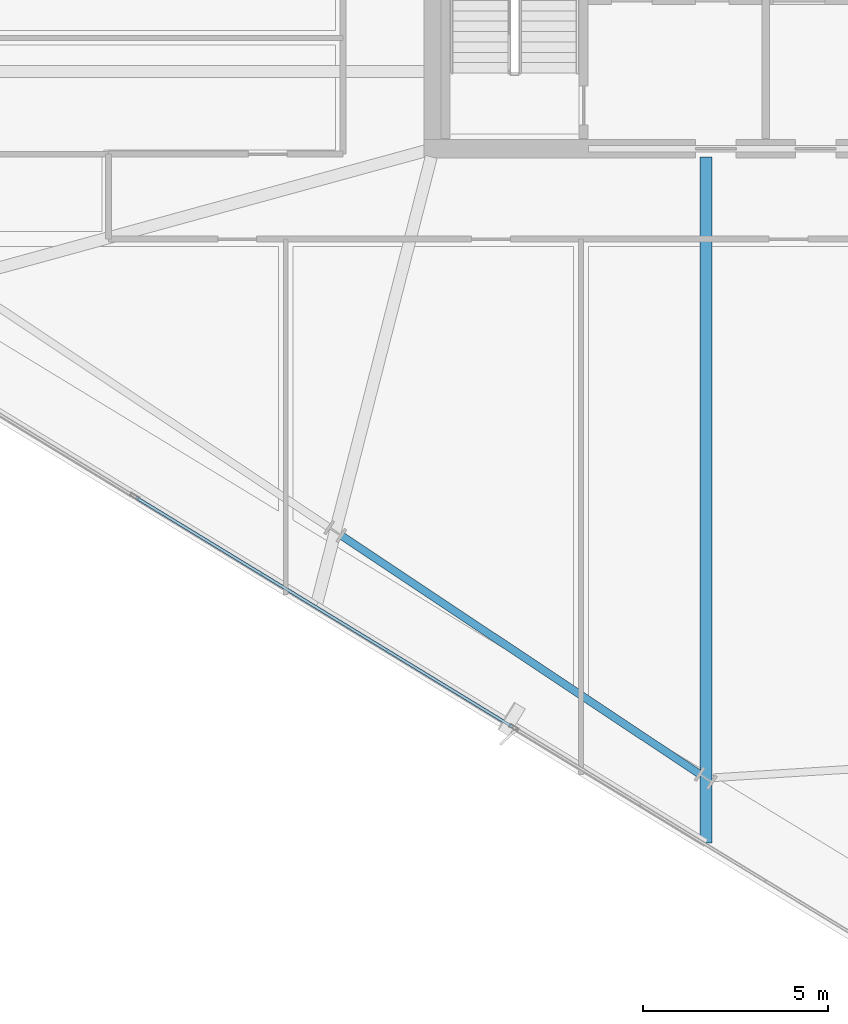
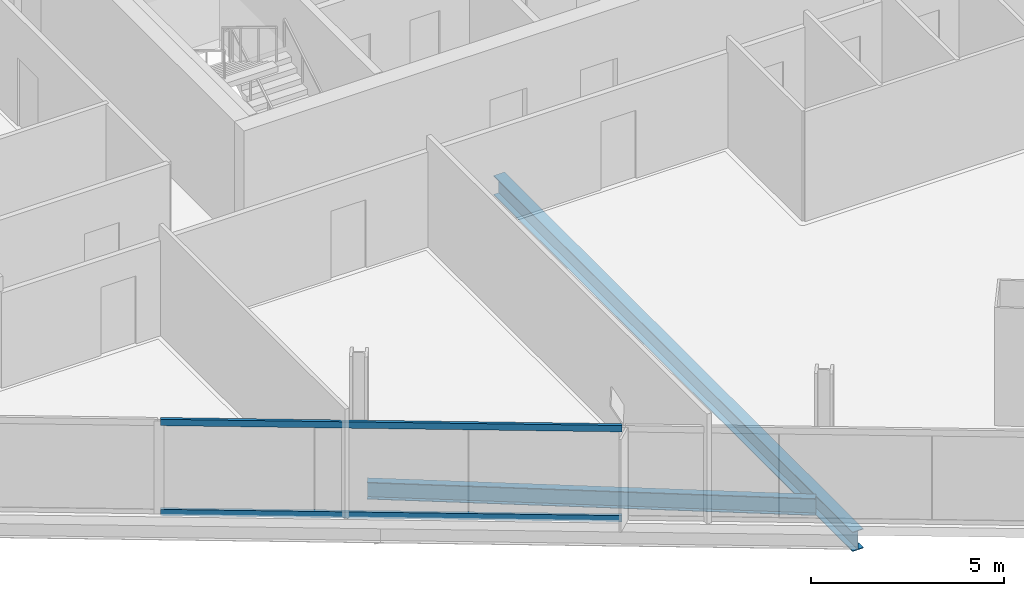
# One storey, part 4 of 28: 2 beams, 2 members, 1 element without a shape of its own.
"""IFC4 building model written with IfcOpenShell, lengths in metres."""

import ifcopenshell
import ifcopenshell.guid

model = None  # the IFC model being written
_history = None  # IfcOwnerHistory: only IFC2X3 demands one
_inside = {}  # id of a spatial element -> (the spatial element, [elements in it])
_under = {}  # id of a project, library or spatial element -> (it, [spatial elements below it])
_declared = {}  # id of a project -> (the project, [libraries it declares])
_typed = {}  # id of a type object -> (the type object, [elements of that type])
_made_of = {}  # id of a material, layer set ... -> (it, [elements and type objects made of it])


def new_model(schema):
    """Start an empty IFC model of exactly this schema.

    Asked for "IFC4X3", IfcOpenShell would pick the latest addendum, in which some entities
    have other attributes; the version numbers below select the first issue.
    IFC2X3 requires an IfcOwnerHistory on every rooted entity: one is made here for all.
    """
    global model, _history
    if schema == "IFC4X3":
        model = ifcopenshell.file(schema_version=(4, 3, 0, 0))
    else:
        model = ifcopenshell.file(schema=schema)
    _inside.clear()
    _under.clear()
    _declared.clear()
    _typed.clear()
    _made_of.clear()
    _history = None
    if model.schema == "IFC2X3":
        org = make("IfcOrganization", Name="unknown")
        user = make(
            "IfcPersonAndOrganization",
            ThePerson=make("IfcPerson", FamilyName="unknown"),
            TheOrganization=org,
        )
        app = make(
            "IfcApplication",
            ApplicationDeveloper=org,
            Version="unknown",
            ApplicationFullName="unknown",
            ApplicationIdentifier="unknown",
        )
        _history = make(
            "IfcOwnerHistory",
            OwningUser=user,
            OwningApplication=app,
            ChangeAction="ADDED",
            CreationDate=0,
        )
    return model


def make(cls, **values):
    """One entity of the class cls with the attributes given. An attribute that is None is left unset."""
    return model.create_entity(
        cls, **{name: value for name, value in values.items() if value is not None}
    )


def rooted(cls, **values):
    """An entity with a GlobalId (a new one), such as an element, a storey or a relation."""
    return make(cls, GlobalId=ifcopenshell.guid.new(), OwnerHistory=_history, **values)


def si_unit(unit_type, name, prefix=None):
    """IfcSIUnit, for example si_unit("LENGTHUNIT", "METRE", prefix="MILLI")."""
    return make("IfcSIUnit", UnitType=unit_type, Prefix=prefix, Name=name)


def assignment(units):
    """IfcUnitAssignment: the units of a project."""
    return None if units is None else make("IfcUnitAssignment", Units=units)


def point(xyz):
    """IfcCartesianPoint."""
    return None if xyz is None else make("IfcCartesianPoint", Coordinates=xyz)


def direction(xyz):
    """IfcDirection."""
    return None if xyz is None else make("IfcDirection", DirectionRatios=xyz)


def frame(location, z_axis=None, x_axis=None):
    """IfcAxis2Placement3D, a coordinate frame: its origin and axes. An axis left out is left unset."""
    return make(
        "IfcAxis2Placement3D",
        Location=point(location),
        Axis=direction(z_axis),
        RefDirection=direction(x_axis),
    )


def frame_2d(location, x_axis=None):
    """IfcAxis2Placement2D, a coordinate frame in the plane: its origin and x axis."""
    return make(
        "IfcAxis2Placement2D", Location=point(location), RefDirection=direction(x_axis)
    )


def origin():
    """The frame at (0, 0, 0) with its axes left unset."""
    return frame((0.0, 0.0, 0.0))


def origin_2d():
    """The frame at (0, 0) in the plane with its x axis left unset."""
    return frame_2d((0.0, 0.0))


def place(relative_to, where):
    """IfcLocalPlacement: puts the frame where relative to a parent placement (None: the world)."""
    return make(
        "IfcLocalPlacement", PlacementRelTo=relative_to, RelativePlacement=where
    )


def context(
    kind, dimensions, precision=None, world=None, true_north=None, identifier=None
):
    """IfcGeometricRepresentationContext, for example the 3D "Model" context."""
    return make(
        "IfcGeometricRepresentationContext",
        ContextIdentifier=identifier,
        ContextType=kind,
        CoordinateSpaceDimension=dimensions,
        Precision=precision,
        WorldCoordinateSystem=world,
        TrueNorth=true_north,
    )


def subcontext(parent, identifier, kind, view, scale=None):
    """IfcGeometricRepresentationSubContext, for example "Body" below "Model"."""
    return make(
        "IfcGeometricRepresentationSubContext",
        ContextIdentifier=identifier,
        ContextType=kind,
        ParentContext=parent,
        TargetScale=scale,
        TargetView=view,
    )


def project(units=None, contexts=None):
    """IfcProject with its units and contexts."""
    return rooted(
        "IfcProject",
        Name="project",
        RepresentationContexts=contexts,
        UnitsInContext=assignment(units),
    )


def spatial(cls, under=None, at=None, **own):
    """A site, building, storey or space (cls), placed at a placement, below another one or the project."""
    s = rooted(cls, ObjectPlacement=at, **own)
    if under is not None:
        _under.setdefault(under.id(), (under, []))[1].append(s)
    return s


def profile(cls, at=None, kind="AREA", **sizes):
    """A parametric profile (cls). Its sizes go by their IFC names, for example OverallWidth=200.0."""
    return make(cls, ProfileType=kind, Position=at, **sizes)


def hollow_rectangle(**sizes):
    """IfcRectangleHollowProfileDef."""
    return profile("IfcRectangleHollowProfileDef", **sizes)


def i_section(**sizes):
    """IfcIShapeProfileDef."""
    return profile("IfcIShapeProfileDef", **sizes)


def extrude(swept, where, along, depth):
    """IfcExtrudedAreaSolid: the profile swept, set in the frame where, extruded along a direction by depth."""
    return make(
        "IfcExtrudedAreaSolid",
        SweptArea=swept,
        Position=where,
        ExtrudedDirection=direction(along),
        Depth=depth,
    )


def shape(context_of_items, identifier, shape_type, items):
    """IfcShapeRepresentation: the items that make up one representation, for example the "Body"."""
    return make(
        "IfcShapeRepresentation",
        ContextOfItems=context_of_items,
        RepresentationIdentifier=identifier,
        RepresentationType=shape_type,
        Items=items,
    )


def material(Name=None, Category=None):
    """IfcMaterial."""
    return make("IfcMaterial", Name=Name, Category=Category)


def material_profile(
    of_material, cross_section, Name=None, Category=None, Priority=None
):
    """IfcMaterialProfile: a cross section and its material."""
    return make(
        "IfcMaterialProfile",
        Name=Name,
        Material=of_material,
        Profile=cross_section,
        Priority=Priority,
        Category=Category,
    )


def profile_set(profiles, Name=None, composite=None):
    """IfcMaterialProfileSet."""
    return make(
        "IfcMaterialProfileSet",
        Name=Name,
        MaterialProfiles=profiles,
        CompositeProfile=composite,
    )


def made_of(thing, what):
    """Note that an element or type object is made of a material, layer set ...; save() writes the relation."""
    if what is not None:
        _made_of.setdefault(what.id(), (what, []))[1].append(thing)
    return thing


def type_object(cls, material=None, **own):
    """A type object (cls), such as IfcWallType, which elements share."""
    return made_of(rooted(cls, **own), material)


def element(
    cls,
    number,
    at=None,
    inside=None,
    cuts=None,
    type_object=None,
    material=None,
    context=None,
    identifier="Body",
    shape_type=None,
    held_by="IfcProductDefinitionShape",
    body=None,
    shapes=None,
    **own,
):
    """One element of the class cls, such as IfcWall. Its Tag is "e" and its number.

    at: its placement. inside: the storey or other place that contains it. cuts: it is an
    opening in that element (IfcRelVoidsElement). A single representation is given by context,
    identifier, shape_type and body (its items); several are given by shapes. held_by: the class
    of the entity that holds the representations. save() writes the other relations.
    """
    e = rooted(cls, Tag="e%d" % number, ObjectPlacement=at, **own)
    if body is not None:
        shapes = [shape(context, identifier, shape_type, body)]
    if shapes is not None:
        e.Representation = make(held_by, Representations=shapes)
    if inside is not None:
        _inside.setdefault(inside.id(), (inside, []))[1].append(e)
    if cuts is not None:
        rooted(
            "IfcRelVoidsElement", RelatingBuildingElement=cuts, RelatedOpeningElement=e
        )
    if type_object is not None:
        _typed.setdefault(type_object.id(), (type_object, []))[1].append(e)
    return made_of(e, material)


def aggregate(whole, parts):
    """IfcRelAggregates: a whole, such as a stair, and the parts it consists of."""
    return rooted("IfcRelAggregates", RelatingObject=whole, RelatedObjects=parts)


def save(model, path):
    """Write the relations noted so far, then the file.

    IfcRelAggregates (storeys below a building ...), IfcRelContainedInSpatialStructure (elements
    in a storey), IfcRelDefinesByType, IfcRelAssociatesMaterial and IfcRelDeclares: one each for
    every whole, place, type object, material and project.
    """
    for whole, parts in _under.values():
        aggregate(whole, parts)
    for where, things in _inside.values():
        rooted(
            "IfcRelContainedInSpatialStructure",
            RelatedElements=things,
            RelatingStructure=where,
        )
    for kind, things in _typed.values():
        rooted("IfcRelDefinesByType", RelatedObjects=things, RelatingType=kind)
    for what, things in _made_of.values():
        rooted("IfcRelAssociatesMaterial", RelatedObjects=things, RelatingMaterial=what)
    for by, libraries in _declared.values():
        rooted("IfcRelDeclares", RelatingContext=by, RelatedDefinitions=libraries)
    model.write(path)


model = new_model("IFC4")

# Units and contexts
model_context = context("Model", 3, precision=1e-05, world=origin(), true_north=direction((0.0, 1.0)))
body_context = subcontext(model_context, "Body", "Model", "MODEL_VIEW")
ifc_project = project(units=[si_unit("LENGTHUNIT", "METRE"), si_unit("AREAUNIT", "SQUARE_METRE"), si_unit("VOLUMEUNIT", "CUBIC_METRE"), si_unit("PLANEANGLEUNIT", "RADIAN"), si_unit("MASSUNIT", "GRAM", prefix="KILO")], contexts=[model_context])

# Site, building, storey
site_placement = place(None, origin())
site = spatial("IfcSite", under=ifc_project, at=site_placement, CompositionType="ELEMENT")
building_placement = place(site_placement, origin())
building = spatial("IfcBuilding", under=site, at=building_placement, Name="Haldenkirk Collegiate Tower", CompositionType="ELEMENT")
storey_placement = place(building_placement, frame((0.0, 0.0, 224.699951171875)))
storey = spatial("IfcBuildingStorey", under=building, at=storey_placement, Name="L56", CompositionType="ELEMENT", Elevation=224.699951171875)

# Beams
ifc_material_1 = material(Name="Steel ASTM A992 Grade 50", Category="steel")
ifc_material_profile_1 = material_profile(ifc_material_1, i_section(OverallWidth=0.324951171875, OverallDepth=0.615966796875, WebThickness=0.013916015625, FlangeThickness=0.021484375, at=origin_2d()), Name="W24X117")
ifc_profile_set_1 = profile_set([ifc_material_profile_1], Name="Steel ASTM A992 Grade 50")
beam_type_1 = type_object("IfcBeamType", Name="BM-GIRDER-W24X117", PredefinedType="BEAM", material=ifc_profile_set_1)
beam_1_placement = place(storey_placement, frame((34.376708984375, -0.7978515625, -0.587890625), z_axis=(0.0, 1.0, 0.0), x_axis=(-1.0, 0.0, 0.0)))
element("IfcBeam", 1, at=beam_1_placement, inside=storey, type_object=beam_type_1, Name="L56 primary floor girder 16", PredefinedType="BEAM", context=body_context, shape_type="SweptSolid", body=[
    extrude(i_section(OverallWidth=0.324951171875, OverallDepth=0.615966796875, WebThickness=0.013916015625, FlangeThickness=0.021484375, at=origin_2d()), origin(), (0.0, 0.0, 1.0), 18.56787109375),
])
ifc_material_profile_2 = material_profile(ifc_material_1, i_section(OverallWidth=0.2099609375, OverallDepth=0.537109375, WebThickness=0.010986328125, FlangeThickness=0.017333984375, at=origin_2d()), Name="W21X68")
ifc_profile_set_2 = profile_set([ifc_material_profile_2], Name="Steel ASTM A992 Grade 50")
beam_type_2 = type_object("IfcBeamType", Name="BM-SPANDREL-W21X68", PredefinedType="SPANDREL", material=ifc_profile_set_2)
beam_2_placement = place(storey_placement, frame((24.52392578125, 7.510986328125, -0.54833984375), z_axis=(0.832441238083, -0.554113332395, 0.0), x_axis=(0.554113332395, 0.832441238083, 0.0)))
element("IfcBeam", 2, at=beam_2_placement, inside=storey, type_object=beam_type_2, Name="L56 perimeter spandrel beam 15", PredefinedType="SPANDREL", context=body_context, shape_type="SweptSolid", body=[
    extrude(i_section(OverallWidth=0.2099609375, OverallDepth=0.537109375, WebThickness=0.010986328125, FlangeThickness=0.017333984375, at=origin_2d()), origin(), (0.0, 0.0, 1.0), 11.618896484375),
])

# Curtain wall, members
ifc_material_2 = material(Name="Anodised architectural bronze aluminium", Category="aluminium")
curtain_wall_type = type_object("IfcCurtainWallType", Name="CW-SYS1B-CONVEX-HI", PredefinedType="USERDEFINED", material=ifc_material_2)
curtain_wall_placement = place(storey_placement, origin())
curtain_wall = element("IfcCurtainWall", 3, at=curtain_wall_placement, inside=storey, type_object=curtain_wall_type, Name="L56 Upper tower high-wind convex bronze unitised curtain wall", ObjectType="UNITISED CURTAIN WALL", PredefinedType="USERDEFINED")
ifc_material_profile_3 = material_profile(ifc_material_2, hollow_rectangle(XDim=0.0849609375, YDim=0.199951171875, WallThickness=0.0048828125, at=origin_2d()), Name="CW-TRN-1B")
ifc_profile_set_3 = profile_set([ifc_material_profile_3], Name="Anodised architectural bronze aluminium")
member_type = type_object("IfcMemberType", Name="CW-TRN-1B", PredefinedType="USERDEFINED", material=ifc_profile_set_3)
member_1_placement = place(storey_placement, frame((29.14794921875, 2.340576171875, 0.04248046875), z_axis=(-0.853996727036, 0.520278377614, 0.0), x_axis=(-0.520278377614, -0.853996727036, 0.0)))
member_1 = element("IfcMember", 4, at=member_1_placement, type_object=member_type, Name="CW-1B transom 2.1", ObjectType="TRANSOM", PredefinedType="USERDEFINED", context=body_context, shape_type="SweptSolid", body=[
    extrude(hollow_rectangle(XDim=0.0849609375, YDim=0.199951171875, WallThickness=0.0048828125, at=origin_2d()), origin(), (0.0, 0.0, 1.0), 11.940185546875),
])
member_2_placement = place(storey_placement, frame((29.14794921875, 2.340576171875, 2.885498046875), z_axis=(-0.853996727036, 0.520278377614, 0.0), x_axis=(-0.520278377614, -0.853996727036, 0.0)))
member_2 = element("IfcMember", 5, at=member_2_placement, type_object=member_type, Name="CW-1B transom 2.2", ObjectType="TRANSOM", PredefinedType="USERDEFINED", context=body_context, shape_type="SweptSolid", body=[
    extrude(hollow_rectangle(XDim=0.0849609375, YDim=0.199951171875, WallThickness=0.0048828125, at=origin_2d()), origin(), (0.0, 0.0, 1.0), 11.940185546875),
])
aggregate(curtain_wall, [member_1, member_2])

save(model, "model.ifc")
